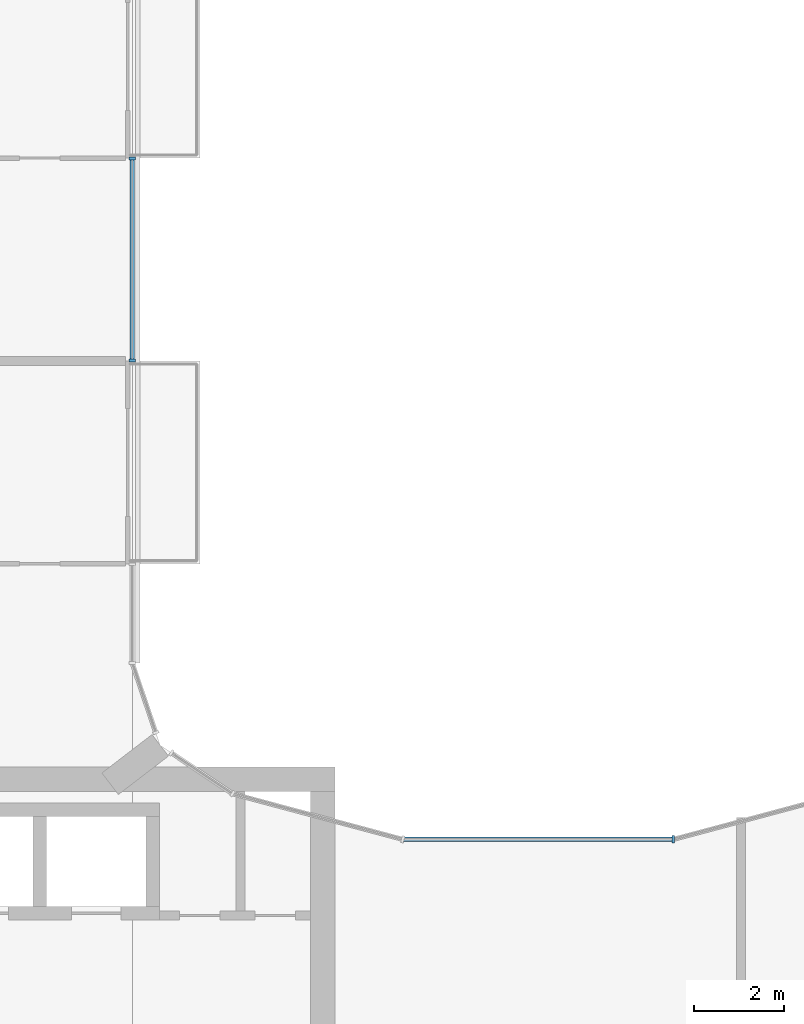
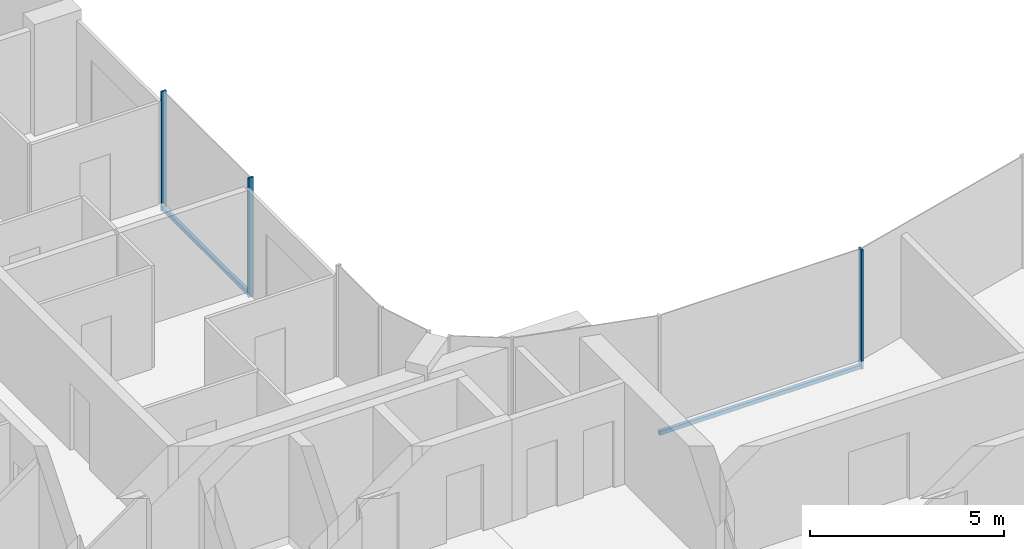
# One storey, part 5 of 16: 5 members, 2 elements without a shape of their own.
"""IFC4 building model written with IfcOpenShell, lengths in metres."""

from ifc_helpers import new_model, si_unit, direction, frame, origin, origin_2d, place, context, subcontext, project, spatial, rectangle, extrude, material, layer, layer_set, material_profile, profile_set, type_object, element, aggregate, save


model = new_model("IFC4")

# Units and contexts
model_context = context("Model", 3, precision=1e-05, world=origin(), true_north=direction((0.0, 1.0)))
body_context = subcontext(model_context, "Body", "Model", "MODEL_VIEW")
ifc_project = project(units=[si_unit("LENGTHUNIT", "METRE"), si_unit("AREAUNIT", "SQUARE_METRE"), si_unit("VOLUMEUNIT", "CUBIC_METRE"), si_unit("PLANEANGLEUNIT", "RADIAN"), si_unit("MASSUNIT", "GRAM", prefix="KILO")], contexts=[model_context])

# Site, building, storey
site_placement = place(None, origin())
site = spatial("IfcSite", under=ifc_project, at=site_placement, CompositionType="ELEMENT")
building_placement = place(site_placement, origin())
building = spatial("IfcBuilding", under=site, at=building_placement, Name="Plateau Cross Towers", CompositionType="ELEMENT")
storey_placement = place(building_placement, frame((0.0, 0.0, 181.39990234375)))
storey = spatial("IfcBuildingStorey", under=building, at=storey_placement, Name="L47", CompositionType="ELEMENT", Elevation=181.39990234375)

# Curtain wall, members
ifc_material_1 = material(Name="Dark low-iron glass", Category="glass")
ifc_layer_1 = layer(ifc_material_1, 0.239990234375)
ifc_layer_set_1 = layer_set([ifc_layer_1], Name="Dark low-iron glass")
curtain_wall_type_1 = type_object("IfcCurtainWallType", Name="Curtain wall flush unitised CW-B", PredefinedType="NOTDEFINED", material=ifc_layer_set_1)
curtain_wall_1_placement = place(storey_placement, origin())
curtain_wall_1 = element("IfcCurtainWall", 1, at=curtain_wall_1_placement, inside=storey, type_object=curtain_wall_type_1, Name="ENV/A/L47/A180_270", PredefinedType="NOTDEFINED")
ifc_material_2 = material(Name="Black anodised aluminium", Category="aluminium")
ifc_material_profile_1 = material_profile(ifc_material_2, rectangle(XDim=0.06005859375, YDim=0.139892578125, at=origin_2d()), Name="MULLION 60x140")
ifc_profile_set_1 = profile_set([ifc_material_profile_1], Name="Black anodised aluminium")
member_type_1 = type_object("IfcMemberType", Name="Mullion 60x140 flush unitised", PredefinedType="MULLION", material=ifc_profile_set_1)
member_1_placement = place(storey_placement, frame((18.0, 27.010009765625, -0.25), z_axis=(0.0, 0.0, 1.0), x_axis=(0.0, 1.0, 0.0)))
member_1 = element("IfcMember", 2, at=member_1_placement, type_object=member_type_1, Name="CW-B mullion 1", PredefinedType="MULLION", context=body_context, shape_type="SweptSolid", body=[
    extrude(rectangle(XDim=0.06005859375, YDim=0.139892578125, at=origin_2d()), origin(), (0.0, 0.0, 1.0), 3.75),
])
member_2_placement = place(storey_placement, frame((18.0, 31.489990234375, -0.25), z_axis=(0.0, 0.0, 1.0), x_axis=(0.0, 1.0, 0.0)))
member_2 = element("IfcMember", 3, at=member_2_placement, type_object=member_type_1, Name="CW-B mullion 2", PredefinedType="MULLION", context=body_context, shape_type="SweptSolid", body=[
    extrude(rectangle(XDim=0.06005859375, YDim=0.139892578125, at=origin_2d()), origin(), (0.0, 0.0, 1.0), 3.75),
])

# Curtain wall, member
ifc_layer_2 = layer(ifc_material_1, 0.260009765625)
ifc_layer_set_2 = layer_set([ifc_layer_2], Name="Dark low-iron glass")
curtain_wall_type_2 = type_object("IfcCurtainWallType", Name="Curtain wall fluted unitised CW-A", PredefinedType="NOTDEFINED", material=ifc_layer_set_2)
curtain_wall_2_placement = place(storey_placement, origin())
curtain_wall_2 = element("IfcCurtainWall", 4, at=curtain_wall_2_placement, inside=storey, type_object=curtain_wall_type_2, Name="ENV/A/L47/A300_164", PredefinedType="NOTDEFINED")
ifc_material_profile_2 = material_profile(ifc_material_2, rectangle(XDim=0.06005859375, YDim=0.159912109375, at=origin_2d()), Name="MULLION 60x160")
ifc_profile_set_2 = profile_set([ifc_material_profile_2], Name="Black anodised aluminium")
member_type_2 = type_object("IfcMemberType", Name="Mullion 60x160 fluted unitised", PredefinedType="MULLION", material=ifc_profile_set_2)
member_3_placement = place(storey_placement, frame((30.0, 16.39306640625, -0.25), z_axis=(0.0, 0.0, 1.0), x_axis=(-1.0, 0.0, 0.0)))
member_3 = element("IfcMember", 5, at=member_3_placement, type_object=member_type_2, Name="CW-A mullion 1", PredefinedType="MULLION", context=body_context, shape_type="SweptSolid", body=[
    extrude(rectangle(XDim=0.06005859375, YDim=0.159912109375, at=origin_2d()), origin(), (0.0, 0.0, 1.0), 3.75),
])

# Member
ifc_material_profile_3 = material_profile(ifc_material_2, rectangle(XDim=0.10009765625, YDim=0.1201171875, at=origin_2d()), Name="TRANSOM 100x120")
ifc_profile_set_3 = profile_set([ifc_material_profile_3], Name="Black anodised aluminium")
member_type_3 = type_object("IfcMemberType", Name="Transom 100x120 flush unitised", PredefinedType="USERDEFINED", material=ifc_profile_set_3)
member_4_placement = place(storey_placement, frame((18.0, 27.010009765625, -0.18994140625), z_axis=(0.0, 1.0, 0.0), x_axis=(-1.0, 0.0, 0.0)))
member_4 = element("IfcMember", 6, at=member_4_placement, type_object=member_type_3, Name="CW-B transom", ObjectType="TRANSOM", PredefinedType="USERDEFINED", context=body_context, shape_type="SweptSolid", body=[
    extrude(rectangle(XDim=0.10009765625, YDim=0.1201171875, at=origin_2d()), origin(), (0.0, 0.0, 1.0), 4.47998046875),
])

aggregate(curtain_wall_1, [member_1, member_2, member_4])

ifc_material_profile_4 = material_profile(ifc_material_2, rectangle(XDim=0.10009765625, YDim=0.1201171875, at=origin_2d()), Name="TRANSOM 100x120")
ifc_profile_set_4 = profile_set([ifc_material_profile_4], Name="Black anodised aluminium")
member_type_4 = type_object("IfcMemberType", Name="Transom 100x120 fluted unitised", PredefinedType="USERDEFINED", material=ifc_profile_set_4)
member_5_placement = place(storey_placement, frame((30.0, 16.39306640625, -0.18994140625), z_axis=(-1.0, 0.0, 0.0), x_axis=(0.0, -1.0, 0.0)))
member_5 = element("IfcMember", 7, at=member_5_placement, type_object=member_type_4, Name="CW-A transom", ObjectType="TRANSOM", PredefinedType="USERDEFINED", context=body_context, shape_type="SweptSolid", body=[
    extrude(rectangle(XDim=0.10009765625, YDim=0.1201171875, at=origin_2d()), origin(), (0.0, 0.0, 1.0), 6.0),
])

aggregate(curtain_wall_2, [member_3, member_5])

save(model, "model.ifc")
